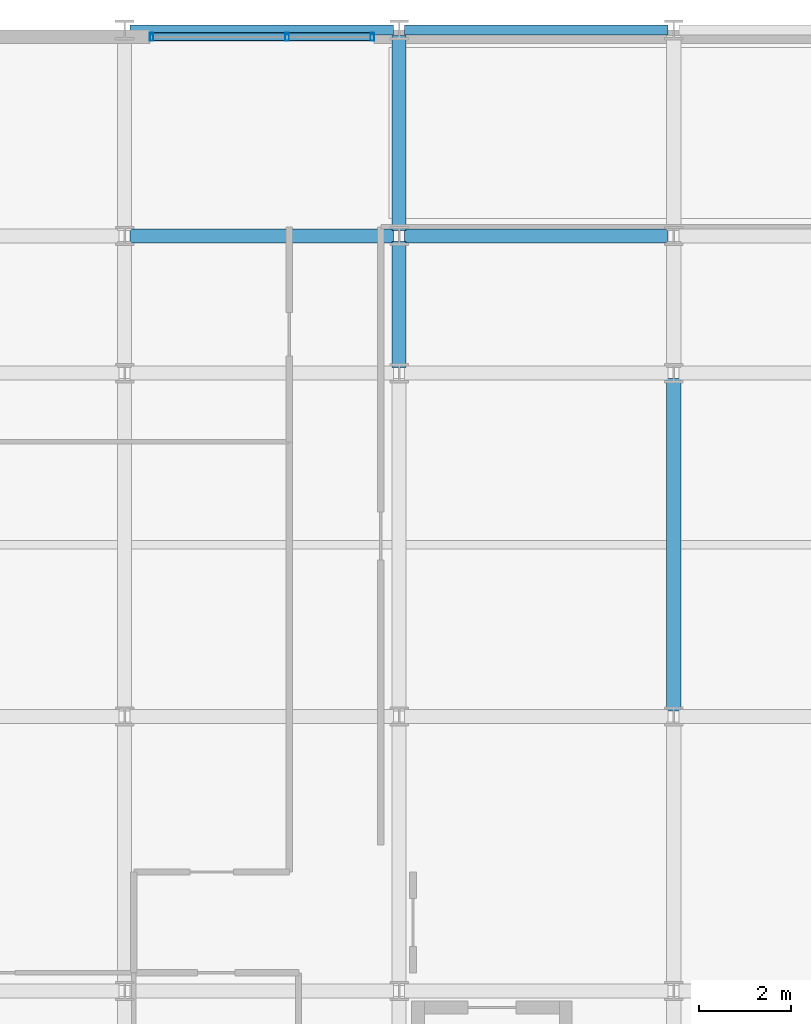
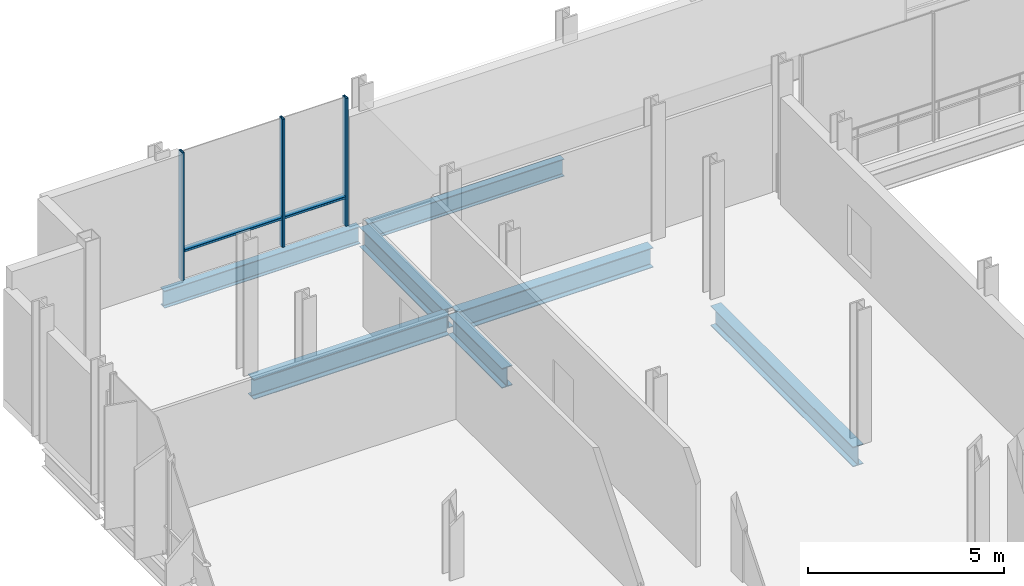
# One storey, part 7 of 32: 7 beams, 5 members, 1 element without a shape of its own.
"""IFC4 building model written with IfcOpenShell, lengths in metres."""

from ifc_helpers import new_model, si_unit, direction, frame, origin, origin_2d, place, context, subcontext, project, spatial, hollow_rectangle, i_section, extrude, material, layer, layer_set, material_profile, profile_set, type_object, element, aggregate, save


model = new_model("IFC4")

# Units and contexts
model_context = context("Model", 3, precision=1e-05, world=origin(), true_north=direction((0.0, 1.0)))
body_context = subcontext(model_context, "Body", "Model", "MODEL_VIEW")
ifc_project = project(units=[si_unit("LENGTHUNIT", "METRE"), si_unit("AREAUNIT", "SQUARE_METRE"), si_unit("VOLUMEUNIT", "CUBIC_METRE"), si_unit("PLANEANGLEUNIT", "RADIAN"), si_unit("MASSUNIT", "GRAM", prefix="KILO")], contexts=[model_context])

# Site, building, storey
site_placement = place(None, origin())
site = spatial("IfcSite", under=ifc_project, at=site_placement, CompositionType="ELEMENT")
building_placement = place(site_placement, origin())
building = spatial("IfcBuilding", under=site, at=building_placement, Name="Brevholm Reach", CompositionType="ELEMENT")
storey_placement = place(building_placement, frame((0.0, 0.0, 134.5)))
storey = spatial("IfcBuildingStorey", under=building, at=storey_placement, Name="L40", CompositionType="ELEMENT", Elevation=134.5)

# Beams
ifc_material_1 = material(Name="Structural Steel S355J2", Category="steel")
ifc_material_profile_1 = material_profile(ifc_material_1, i_section(OverallWidth=0.210693359375, OverallDepth=0.53955078125, WebThickness=0.01171875, FlangeThickness=0.018798828125, FilletRadius=0.0126953125, at=origin_2d()), Name="UKB 533x210x109")
ifc_profile_set_1 = profile_set([ifc_material_profile_1], Name="Structural Steel S355J2")
beam_type_1 = type_object("IfcBeamType", Name="BM-SP539", PredefinedType="SPANDREL", material=ifc_profile_set_1)
for number, where, z_axis, x_axis, name in (
    (1, (6.1201171875, 31.0, -0.519775390625), (1.0, 0.0, 0.0), (0.0, 1.0, 0.0), "L40 SP-01B Framing Beam"),
    (2, (12.1201171875, 31.0, -0.519775390625), (1.0, 0.0, 0.0), (0.0, 1.0, 0.0), "L40 SP-01B Framing Beam"),
):
    element("IfcBeam", number, at=place(storey_placement, frame(where, z_axis=z_axis, x_axis=x_axis)), inside=storey, type_object=beam_type_1, Name=name, PredefinedType="SPANDREL", context=body_context, shape_type="SweptSolid", body=[
        extrude(i_section(OverallWidth=0.210693359375, OverallDepth=0.53955078125, WebThickness=0.01171875, FlangeThickness=0.018798828125, FilletRadius=0.0126953125, at=origin_2d()), origin(), (0.0, 0.0, 1.0), 5.759765625),
    ])
ifc_material_2 = material(Name="Structural Steel S355J2", Category="steel")
ifc_material_profile_2 = material_profile(ifc_material_2, i_section(OverallWidth=0.30712890625, OverallDepth=0.6201171875, WebThickness=0.01416015625, FlangeThickness=0.023681640625, FilletRadius=0.0166015625, at=origin_2d()), Name="UKB 610x305x179")
ifc_profile_set_2 = profile_set([ifc_material_profile_2], Name="Structural Steel S355J2")
beam_type_2 = type_object("IfcBeamType", Name="BM-UKB610H", PredefinedType="USERDEFINED", material=ifc_profile_set_2)
for number, where, z_axis, x_axis, name in (
    (3, (6.1201171875, 26.5, -0.56005859375), (1.0, 0.0, 0.0), (0.0, 1.0, 0.0), "L40 G-06 Framing Beam"),
    (4, (12.1201171875, 26.5, -0.56005859375), (1.0, 0.0, 0.0), (0.0, 1.0, 0.0), "L40 G-06 Framing Beam"),
):
    element("IfcBeam", number, at=place(storey_placement, frame(where, z_axis=z_axis, x_axis=x_axis)), inside=storey, type_object=beam_type_2, Name=name, ObjectType="GIRDER", PredefinedType="USERDEFINED", context=body_context, shape_type="SweptSolid", body=[
        extrude(i_section(OverallWidth=0.30712890625, OverallDepth=0.6201171875, WebThickness=0.01416015625, FlangeThickness=0.023681640625, FilletRadius=0.0166015625, at=origin_2d()), origin(), (0.0, 0.0, 1.0), 5.759765625),
    ])
beam_1_placement = place(storey_placement, frame((12.0, 23.6201171875, -0.56005859375), z_axis=(0.0, 1.0, 0.0), x_axis=(-1.0, 0.0, 0.0)))
element("IfcBeam", 5, at=beam_1_placement, inside=storey, type_object=beam_type_2, Name="L40 G-06 Framing Beam", ObjectType="GIRDER", PredefinedType="USERDEFINED", context=body_context, shape_type="SweptSolid", body=[
    extrude(i_section(OverallWidth=0.30712890625, OverallDepth=0.6201171875, WebThickness=0.01416015625, FlangeThickness=0.023681640625, FilletRadius=0.0166015625, at=origin_2d()), origin(), (0.0, 0.0, 1.0), 2.759765625),
])
beam_2_placement = place(storey_placement, frame((12.0, 26.6201171875, -0.56005859375), z_axis=(0.0, 1.0, 0.0), x_axis=(-1.0, 0.0, 0.0)))
element("IfcBeam", 6, at=beam_2_placement, inside=storey, type_object=beam_type_2, Name="L40 G-06 Framing Beam", ObjectType="GIRDER", PredefinedType="USERDEFINED", context=body_context, shape_type="SweptSolid", body=[
    extrude(i_section(OverallWidth=0.30712890625, OverallDepth=0.6201171875, WebThickness=0.01416015625, FlangeThickness=0.023681640625, FilletRadius=0.0166015625, at=origin_2d()), origin(), (0.0, 0.0, 1.0), 4.259765625),
])
beam_3_placement = place(storey_placement, frame((18.0, 16.1201171875, -0.56005859375), z_axis=(0.0, 1.0, 0.0), x_axis=(-1.0, 0.0, 0.0)))
element("IfcBeam", 7, at=beam_3_placement, inside=storey, type_object=beam_type_2, Name="L40 G-06 Framing Beam", ObjectType="GIRDER", PredefinedType="USERDEFINED", context=body_context, shape_type="SweptSolid", body=[
    extrude(i_section(OverallWidth=0.30712890625, OverallDepth=0.6201171875, WebThickness=0.01416015625, FlangeThickness=0.023681640625, FilletRadius=0.0166015625, at=origin_2d()), origin(), (0.0, 0.0, 1.0), 7.259765625),
])

# Curtain wall, members
ifc_material_3 = material(Name="Dark Anodised Aluminium 6063-T6 and Solar-Control Glass", Category="aluminium")
ifc_layer = layer(ifc_material_3, 0.179931640625)
ifc_layer_set = layer_set([ifc_layer], Name="Dark Anodised Aluminium 6063-T6 and Solar-Control Glass")
curtain_wall_type = type_object("IfcCurtainWallType", Name="CW-05", PredefinedType="NOTDEFINED", material=ifc_layer_set)
curtain_wall_placement = place(storey_placement, origin())
curtain_wall = element("IfcCurtainWall", 8, at=curtain_wall_placement, inside=storey, type_object=curtain_wall_type, Name="L40 Curtain Wall CW-05", PredefinedType="NOTDEFINED")
ifc_material_4 = material(Name="Dark Anodised Aluminium 6063-T6", Category="aluminium")
ifc_material_profile_3 = material_profile(ifc_material_4, hollow_rectangle(XDim=0.074951171875, YDim=0.179931640625, WallThickness=0.006103515625, InnerFilletRadius=0.006103515625, OuterFilletRadius=0.011962890625, at=origin_2d()), Name="RHS 180x75x6")
ifc_profile_set_3 = profile_set([ifc_material_profile_3], Name="Dark Anodised Aluminium 6063-T6")
member_type_1 = type_object("IfcMemberType", Name="CWM-180", PredefinedType="MULLION", material=ifc_profile_set_3)
member_1_placement = place(storey_placement, frame((6.58740234375, 30.85009765625, 0.0), z_axis=(0.0, 0.0, 1.0), x_axis=(1.0, 0.0, 0.0)))
member_1 = element("IfcMember", 9, at=member_1_placement, type_object=member_type_1, Name="CM-180 Mullion 1", PredefinedType="MULLION", context=body_context, shape_type="SweptSolid", body=[
    extrude(hollow_rectangle(XDim=0.074951171875, YDim=0.179931640625, WallThickness=0.006103515625, InnerFilletRadius=0.006103515625, OuterFilletRadius=0.011962890625, at=origin_2d()), origin(), (0.0, 0.0, 1.0), 3.97998046875),
])
member_2_placement = place(storey_placement, frame((9.550048828125, 30.85009765625, 0.0), z_axis=(0.0, 0.0, 1.0), x_axis=(1.0, 0.0, 0.0)))
member_2 = element("IfcMember", 10, at=member_2_placement, type_object=member_type_1, Name="CM-180 Mullion 2", PredefinedType="MULLION", context=body_context, shape_type="SweptSolid", body=[
    extrude(hollow_rectangle(XDim=0.074951171875, YDim=0.179931640625, WallThickness=0.006103515625, InnerFilletRadius=0.006103515625, OuterFilletRadius=0.011962890625, at=origin_2d()), origin(), (0.0, 0.0, 1.0), 3.97998046875),
])
member_3_placement = place(storey_placement, frame((11.41259765625, 30.85009765625, 0.0), z_axis=(0.0, 0.0, 1.0), x_axis=(1.0, 0.0, 0.0)))
member_3 = element("IfcMember", 11, at=member_3_placement, type_object=member_type_1, Name="CM-180 Mullion 3", PredefinedType="MULLION", context=body_context, shape_type="SweptSolid", body=[
    extrude(hollow_rectangle(XDim=0.074951171875, YDim=0.179931640625, WallThickness=0.006103515625, InnerFilletRadius=0.006103515625, OuterFilletRadius=0.011962890625, at=origin_2d()), origin(), (0.0, 0.0, 1.0), 3.97998046875),
])
ifc_material_5 = material(Name="Dark Anodised Aluminium 6063-T6", Category="aluminium")
ifc_material_profile_4 = material_profile(ifc_material_5, hollow_rectangle(XDim=0.074951171875, YDim=0.179931640625, WallThickness=0.006103515625, InnerFilletRadius=0.006103515625, OuterFilletRadius=0.011962890625, at=origin_2d()), Name="RHS 180x75x6")
ifc_profile_set_4 = profile_set([ifc_material_profile_4], Name="Dark Anodised Aluminium 6063-T6")
member_type_2 = type_object("IfcMemberType", Name="CWT-180", PredefinedType="NOTDEFINED", material=ifc_profile_set_4)
member_4_placement = place(storey_placement, frame((6.625, 30.85009765625, 0.89990234375), z_axis=(1.0, 0.0, 0.0), x_axis=(0.0, 0.0, 1.0)))
member_4 = element("IfcMember", 12, at=member_4_placement, type_object=member_type_2, Name="CT-180 Transom 1.1", ObjectType="TRANSOM", PredefinedType="USERDEFINED", context=body_context, shape_type="SweptSolid", body=[
    extrude(hollow_rectangle(XDim=0.074951171875, YDim=0.179931640625, WallThickness=0.006103515625, InnerFilletRadius=0.006103515625, OuterFilletRadius=0.011962890625, at=origin_2d()), origin(), (0.0, 0.0, 1.0), 2.887451171875),
])
member_5_placement = place(storey_placement, frame((9.58740234375, 30.85009765625, 0.89990234375), z_axis=(1.0, 0.0, 0.0), x_axis=(0.0, 0.0, 1.0)))
member_5 = element("IfcMember", 13, at=member_5_placement, type_object=member_type_2, Name="CT-180 Transom 2.1", ObjectType="TRANSOM", PredefinedType="USERDEFINED", context=body_context, shape_type="SweptSolid", body=[
    extrude(hollow_rectangle(XDim=0.074951171875, YDim=0.179931640625, WallThickness=0.006103515625, InnerFilletRadius=0.006103515625, OuterFilletRadius=0.011962890625, at=origin_2d()), origin(), (0.0, 0.0, 1.0), 1.78759765625),
])
aggregate(curtain_wall, [member_1, member_2, member_3, member_4, member_5])

save(model, "model.ifc")
